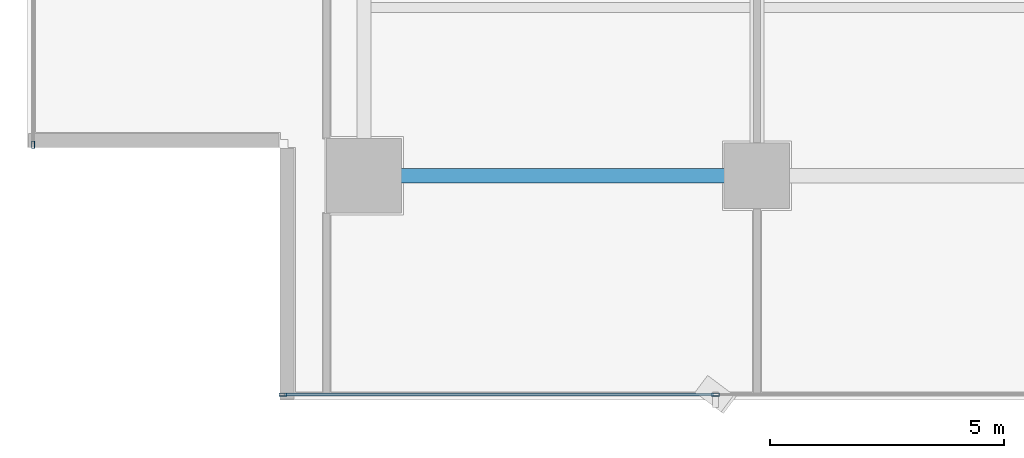
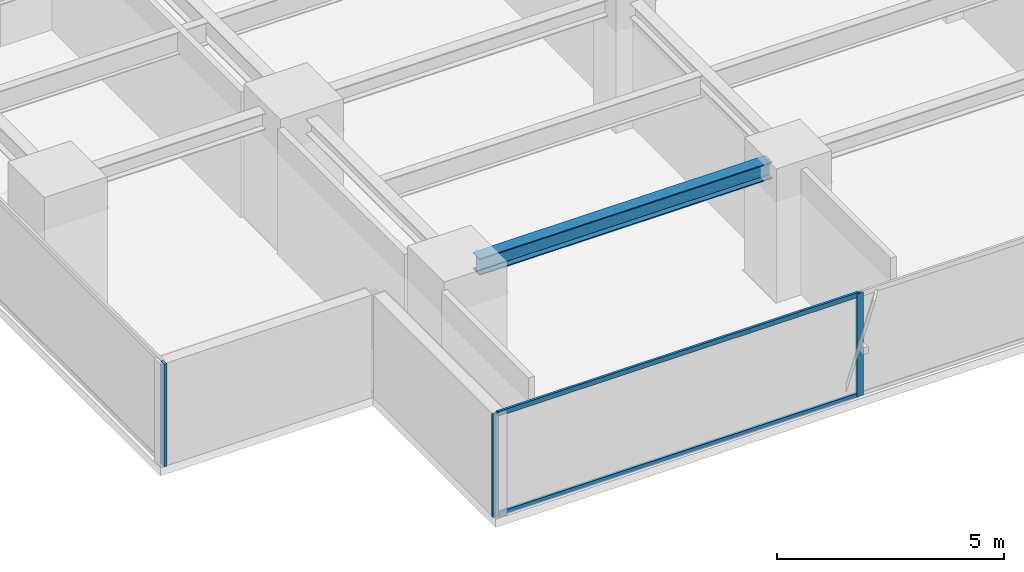
# One storey, part 2 of 28: 5 members, 1 beam, 2 elements without a shape of their own.
"""IFC4 building model written with IfcOpenShell, lengths in metres."""

from ifc_helpers import new_model, si_unit, direction, frame, origin, origin_2d, place, context, subcontext, project, spatial, hollow_rectangle, i_section, extrude, source, transform, mapped, material, layer, layer_set, material_profile, profile_set, type_object, element, aggregate, save


model = new_model("IFC4")

# Units and contexts
model_context = context("Model", 3, precision=1e-05, world=origin(), true_north=direction((0.0, 1.0)))
body_context = subcontext(model_context, "Body", "Model", "MODEL_VIEW")
ifc_project = project(units=[si_unit("LENGTHUNIT", "METRE"), si_unit("AREAUNIT", "SQUARE_METRE"), si_unit("VOLUMEUNIT", "CUBIC_METRE"), si_unit("PLANEANGLEUNIT", "RADIAN"), si_unit("MASSUNIT", "GRAM", prefix="KILO")], contexts=[model_context])

# Site, building, storey
site_placement = place(None, origin())
site = spatial("IfcSite", under=ifc_project, at=site_placement, CompositionType="ELEMENT")
building_placement = place(site_placement, origin())
building = spatial("IfcBuilding", under=site, at=building_placement, Name="Sumidabori Civic Tower", CompositionType="ELEMENT")
storey_placement = place(building_placement, frame((0.0, 0.0, 153.199951171875)))
storey = spatial("IfcBuildingStorey", under=building, at=storey_placement, Name="L39", CompositionType="ELEMENT", Elevation=153.199951171875)

# Beam
ifc_material_1 = material(Name="Steel SN490", Category="steel")
ifc_material_profile_1 = material_profile(ifc_material_1, i_section(OverallWidth=0.300048828125, OverallDepth=0.449951171875, WebThickness=0.013916015625, FlangeThickness=0.02587890625, at=origin_2d()), Name="HE 450 B")
ifc_profile_set_1 = profile_set([ifc_material_profile_1], Name="Steel SN490")
beam_type = type_object("IfcBeamType", Name="BM-GIRD-450", PredefinedType="BEAM", material=ifc_profile_set_1)
shared_shape_1 = source(origin(), body_context, "Body", "SweptSolid", [
    extrude(i_section(OverallWidth=0.300048828125, OverallDepth=0.449951171875, WebThickness=0.013916015625, FlangeThickness=0.02587890625, at=origin_2d()), origin(), (0.0, 0.0, 1.0), 7.440185546875),
])
beam_placement = place(storey_placement, frame((-16.320068359375, -18.0, 3.155029296875), z_axis=(1.0, 0.0, 0.0), x_axis=(0.0, 1.0, 0.0)))
element("IfcBeam", 1, at=beam_placement, inside=storey, type_object=beam_type, Name="Primary Girder L39 GX-01", PredefinedType="BEAM", context=body_context, shape_type="MappedRepresentation", body=[
    mapped(shared_shape_1, transform((0.0, 0.0, 0.0), x_axis=(1.0, 0.0, 0.0), y_axis=(0.0, 1.0, 0.0), z_axis=(0.0, 0.0, 1.0), scale=1.0)),
])

# Curtain wall, members
ifc_material_2 = material(Name="Anodised Bronze Aluminium AW-6063-T6", Category="aluminium")
ifc_layer = layer(ifc_material_2, 0.179931640625, Name="Anodised Bronze Aluminium AW-6063-T6")
ifc_layer_set = layer_set([ifc_layer], Name="Anodised Bronze Aluminium AW-6063-T6")
curtain_wall_type = type_object("IfcCurtainWallType", Name="CW-SYS-3", PredefinedType="NOTDEFINED", material=ifc_layer_set)
curtain_wall_1_placement = place(storey_placement, origin())
curtain_wall_1 = element("IfcCurtainWall", 2, at=curtain_wall_1_placement, inside=storey, type_object=curtain_wall_type, Name="Curtain Wall CW:L39:R01", PredefinedType="NOTDEFINED")
ifc_material_profile_2 = material_profile(ifc_material_2, hollow_rectangle(XDim=0.06494140625, YDim=0.159912109375, WallThickness=0.0048828125, at=origin_2d()), Name="ALU MULLION 160x65")
ifc_profile_set_2 = profile_set([ifc_material_profile_2], Name="Anodised Bronze Aluminium AW-6063-T6")
member_type_1 = type_object("IfcMemberType", Name="CW-MUL-160", PredefinedType="MULLION", material=ifc_profile_set_2)
shared_shape_2 = source(origin(), body_context, "Body", "SweptSolid", [
    extrude(hollow_rectangle(XDim=0.06494140625, YDim=0.159912109375, WallThickness=0.0048828125, at=origin_2d()), origin(), (0.0, 0.0, 1.0), 2.760009765625),
])
member_1_placement = place(storey_placement, frame((-18.53759765625, -22.679931640625, 0.0), z_axis=(0.0, 0.0, 1.0), x_axis=(0.0, 1.0, 0.0)))
member_1 = element("IfcMember", 3, at=member_1_placement, type_object=member_type_1, Name="CW-3 mullion 1", PredefinedType="MULLION", context=body_context, shape_type="MappedRepresentation", body=[
    mapped(shared_shape_2, transform((0.0, 0.0, 0.0), x_axis=(1.0, 0.0, 0.0), y_axis=(0.0, 1.0, 0.0), z_axis=(0.0, 0.0, 1.0), scale=1.0)),
])
member_2_placement = place(storey_placement, frame((-9.284912109375, -22.679931640625, 0.0), z_axis=(0.0, 0.0, 1.0), x_axis=(0.0, 1.0, 0.0)))
member_2 = element("IfcMember", 4, at=member_2_placement, type_object=member_type_1, Name="CW-3 mullion 2", PredefinedType="MULLION", context=body_context, shape_type="MappedRepresentation", body=[
    mapped(shared_shape_2, transform((0.0, 0.0, 0.0), x_axis=(1.0, 0.0, 0.0), y_axis=(0.0, 1.0, 0.0), z_axis=(0.0, 0.0, 1.0), scale=1.0)),
])

# Curtain wall, member
curtain_wall_2_placement = place(storey_placement, origin())
curtain_wall_2 = element("IfcCurtainWall", 5, at=curtain_wall_2_placement, inside=storey, type_object=curtain_wall_type, Name="Curtain Wall CW:L39:R10", PredefinedType="NOTDEFINED")
member_3_placement = place(storey_placement, frame((-23.8798828125, -17.33740234375, 0.0), z_axis=(0.0, 0.0, 1.0), x_axis=(1.0, 0.0, 0.0)))
member_3 = element("IfcMember", 6, at=member_3_placement, type_object=member_type_1, Name="CW-3 mullion 5", PredefinedType="MULLION", context=body_context, shape_type="MappedRepresentation", body=[
    mapped(shared_shape_2, transform((0.0, 0.0, 0.0), x_axis=(1.0, 0.0, 0.0), y_axis=(0.0, 1.0, 0.0), z_axis=(0.0, 0.0, 1.0), scale=1.0)),
])
aggregate(curtain_wall_2, [member_3])

# Member
ifc_material_profile_3 = material_profile(ifc_material_2, hollow_rectangle(XDim=0.06005859375, YDim=0.1298828125, WallThickness=0.0048828125, at=origin_2d()), Name="ALU TRANSOM 130x60")
ifc_profile_set_3 = profile_set([ifc_material_profile_3], Name="Anodised Bronze Aluminium AW-6063-T6")
member_type_2 = type_object("IfcMemberType", Name="CW-TRN-130", PredefinedType="USERDEFINED", material=ifc_profile_set_3)
shared_shape_3 = source(origin(), body_context, "Body", "SweptSolid", [
    extrude(hollow_rectangle(XDim=0.06005859375, YDim=0.1298828125, WallThickness=0.0048828125, at=origin_2d()), origin(), (0.0, 0.0, 1.0), 9.1875),
])
member_4_placement = place(storey_placement, frame((-18.5048828125, -22.679931640625, 0.030029296875), z_axis=(1.0, 0.0, 0.0), x_axis=(0.0, 1.0, 0.0)))
member_4 = element("IfcMember", 7, at=member_4_placement, type_object=member_type_2, Name="CW-3 transom 1.1", ObjectType="TRANSOM", PredefinedType="USERDEFINED", context=body_context, shape_type="MappedRepresentation", body=[
    mapped(shared_shape_3, transform((0.0, 0.0, 0.0), x_axis=(1.0, 0.0, 0.0), y_axis=(0.0, 1.0, 0.0), z_axis=(0.0, 0.0, 1.0), scale=1.0)),
])

member_5_placement = place(storey_placement, frame((-18.5048828125, -22.679931640625, 2.72998046875), z_axis=(1.0, 0.0, 0.0), x_axis=(0.0, 1.0, 0.0)))
member_5 = element("IfcMember", 8, at=member_5_placement, type_object=member_type_2, Name="CW-3 transom 1.2", ObjectType="TRANSOM", PredefinedType="USERDEFINED", context=body_context, shape_type="MappedRepresentation", body=[
    mapped(shared_shape_3, transform((0.0, 0.0, 0.0), x_axis=(1.0, 0.0, 0.0), y_axis=(0.0, 1.0, 0.0), z_axis=(0.0, 0.0, 1.0), scale=1.0)),
])

aggregate(curtain_wall_1, [member_1, member_2, member_4, member_5])

save(model, "model.ifc")
